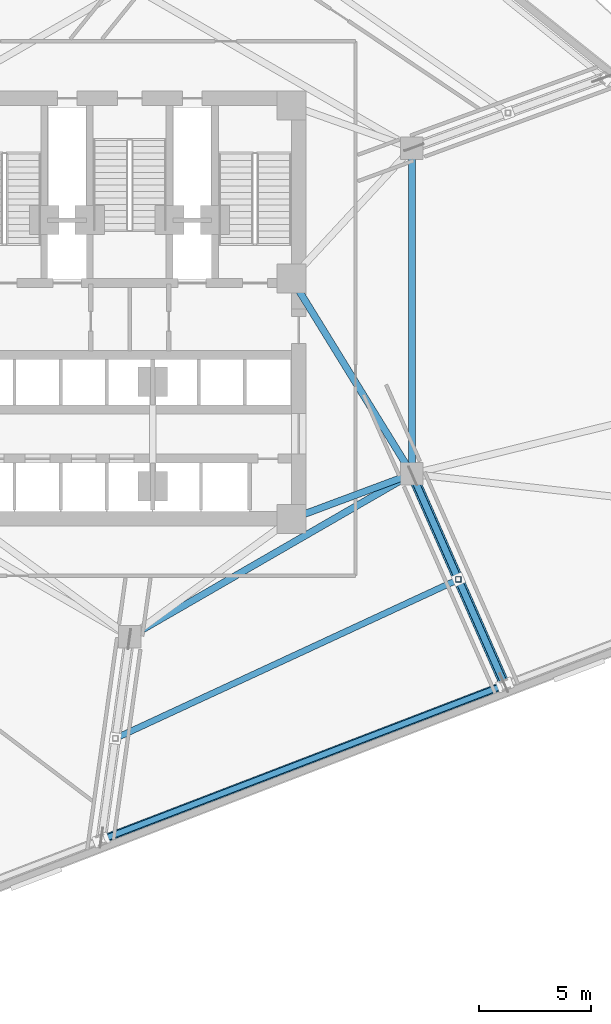
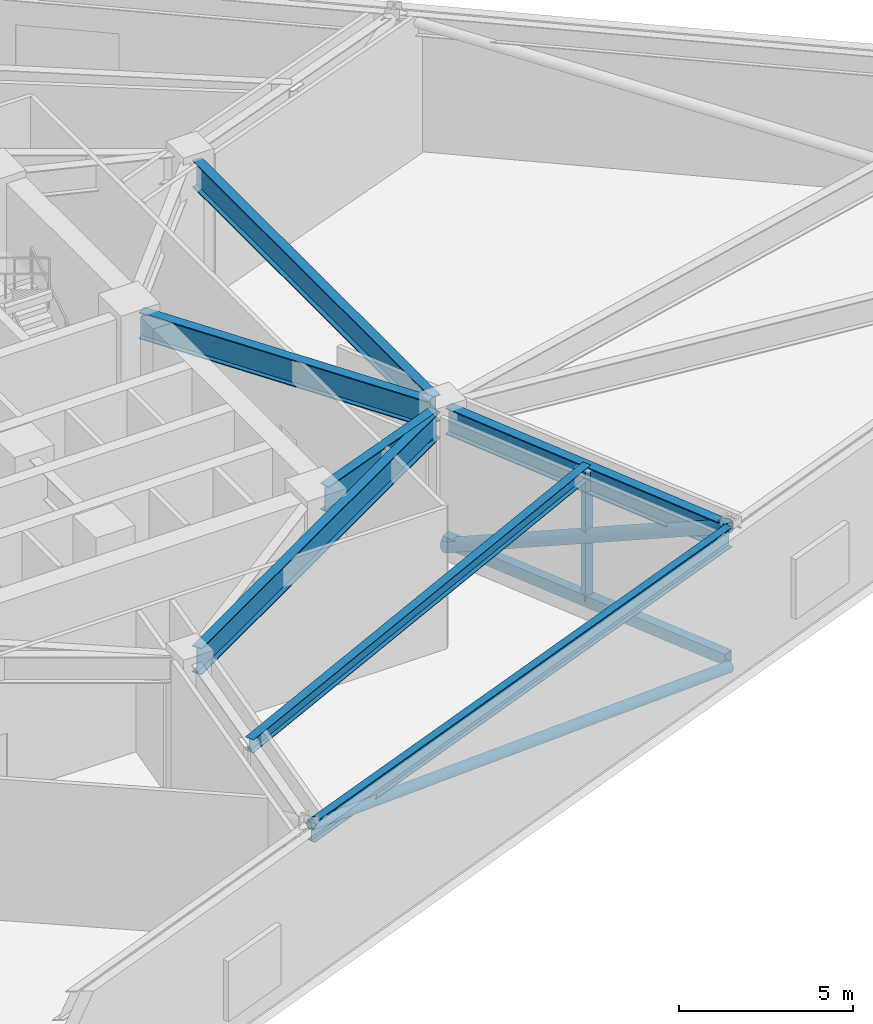
# One storey, part 4 of 18: 7 beams, 4 members.
"""IFC4 building model written with IfcOpenShell, lengths in metres."""

from ifc_helpers import new_model, si_unit, direction, frame, origin, origin_2d, place, context, subcontext, project, spatial, hollow_rectangle, hollow_circle, i_section, extrude, material, material_profile, profile_set, type_object, element, save


model = new_model("IFC4")

# Units and contexts
model_context = context("Model", 3, precision=1e-05, world=origin(), true_north=direction((0.0, 1.0)))
body_context = subcontext(model_context, "Body", "Model", "MODEL_VIEW")
ifc_project = project(units=[si_unit("LENGTHUNIT", "METRE"), si_unit("AREAUNIT", "SQUARE_METRE"), si_unit("VOLUMEUNIT", "CUBIC_METRE"), si_unit("PLANEANGLEUNIT", "RADIAN"), si_unit("MASSUNIT", "GRAM", prefix="KILO")], contexts=[model_context])

# Site, building, storey
site_placement = place(None, origin())
site = spatial("IfcSite", under=ifc_project, at=site_placement, CompositionType="ELEMENT")
building_placement = place(site_placement, origin())
building = spatial("IfcBuilding", under=site, at=building_placement, Name="Apsidion Concourse Tower", CompositionType="ELEMENT")
storey_placement = place(building_placement, frame((0.0, 0.0, 127.0)))
storey = spatial("IfcBuildingStorey", under=building, at=storey_placement, Name="L29", CompositionType="ELEMENT", Elevation=127.0)

# Beams
ifc_material_1 = material(Name="Structural steel ASTM A992 Grade 50", Category="steel")
ifc_material_profile_1 = material_profile(ifc_material_1, i_section(OverallWidth=0.280029296875, OverallDepth=0.462890625, WebThickness=0.0107421875, FlangeThickness=0.017333984375, at=origin_2d()), Name="W18X76")
ifc_profile_set_1 = profile_set([ifc_material_profile_1], Name="Structural steel ASTM A992 Grade 50")
beam_type_1 = type_object("IfcBeamType", Name="BM-FL-W18M", PredefinedType="BEAM", material=ifc_profile_set_1)
beam_1_placement = place(storey_placement, frame((-0.6376953125, -19.018310546875, 4.718505859375), z_axis=(0.907312361657, 0.420457225392, 0.0), x_axis=(-0.420457225392, 0.907312361657, 0.0)))
element("IfcBeam", 1, at=beam_1_placement, inside=storey, type_object=beam_type_1, Name="L29 Secondary Floor Beam SEC-F2", PredefinedType="BEAM", context=body_context, shape_type="SweptSolid", body=[
    extrude(i_section(OverallWidth=0.280029296875, OverallDepth=0.462890625, WebThickness=0.0107421875, FlangeThickness=0.017333984375, at=origin_2d()), origin(), (0.0, 0.0, 1.0), 16.82568359375),
])
ifc_material_profile_2 = material_profile(ifc_material_1, i_section(OverallWidth=0.31005859375, OverallDepth=0.931884765625, WebThickness=0.02099609375, FlangeThickness=0.034423828125, at=origin_2d()), Name="W36X210")
ifc_profile_set_2 = profile_set([ifc_material_profile_2], Name="Structural steel ASTM A992 Grade 50")
beam_type_2 = type_object("IfcBeamType", Name="BM-G-W36", PredefinedType="USERDEFINED", material=ifc_profile_set_2)
beam_2_placement = place(storey_placement, frame((12.185302734375, -7.389892578125, 4.48388671875), z_axis=(-0.936913021145, -0.349562570664, 0.0), x_axis=(0.349562570664, -0.936913021145, 0.0)))
element("IfcBeam", 2, at=beam_2_placement, inside=storey, type_object=beam_type_2, Name="L29 Core Coupling Girder IC2-SC2", ObjectType="GIRDER", PredefinedType="USERDEFINED", context=body_context, shape_type="SweptSolid", body=[
    extrude(i_section(OverallWidth=0.31005859375, OverallDepth=0.931884765625, WebThickness=0.02099609375, FlangeThickness=0.034423828125, at=origin_2d()), origin(), (0.0, 0.0, 1.0), 4.921142578125),
])
beam_3_placement = place(storey_placement, frame((12.35009765625, -6.909423828125, 4.48388671875), z_axis=(-0.524524009763, 0.851395656074, 0.0), x_axis=(-0.851395656074, -0.524524009763, 0.0)))
element("IfcBeam", 3, at=beam_3_placement, inside=storey, type_object=beam_type_2, Name="L29 Core Coupling Girder IC2-SC3", ObjectType="GIRDER", PredefinedType="USERDEFINED", context=body_context, shape_type="SweptSolid", body=[
    extrude(i_section(OverallWidth=0.31005859375, OverallDepth=0.931884765625, WebThickness=0.02099609375, FlangeThickness=0.034423828125, at=origin_2d()), origin(), (0.0, 0.0, 1.0), 9.41845703125),
])
beam_4_placement = place(storey_placement, frame((12.56005859375, 6.85009765625, 4.48388671875), z_axis=(0.0, -1.0, 0.0), x_axis=(1.0, 0.0, 0.0)))
element("IfcBeam", 4, at=beam_4_placement, inside=storey, type_object=beam_type_2, Name="L29 Core Coupling Girder IC3-IC2", ObjectType="GIRDER", PredefinedType="USERDEFINED", context=body_context, shape_type="SweptSolid", body=[
    extrude(i_section(OverallWidth=0.31005859375, OverallDepth=0.931884765625, WebThickness=0.02099609375, FlangeThickness=0.034423828125, at=origin_2d()), origin(), (0.0, 0.0, 1.0), 13.7001953125),
])
beam_5_placement = place(storey_placement, frame((12.213623046875, -7.449951171875, 4.48388671875), z_axis=(-0.866070471464, -0.499921932364, 0.0), x_axis=(0.499921932364, -0.866070471464, 0.0)))
element("IfcBeam", 5, at=beam_5_placement, inside=storey, type_object=beam_type_2, Name="L29 Core Coupling Girder IC2-IC6", ObjectType="GIRDER", PredefinedType="USERDEFINED", context=body_context, shape_type="SweptSolid", body=[
    extrude(i_section(OverallWidth=0.31005859375, OverallDepth=0.931884765625, WebThickness=0.02099609375, FlangeThickness=0.034423828125, at=origin_2d()), origin(), (0.0, 0.0, 1.0), 13.702392578125),
])
beam_6_placement = place(storey_placement, frame((12.648681640625, -7.451416015625, 4.48388671875), z_axis=(0.403246465544, -0.915091409656, 0.0), x_axis=(0.915091409656, 0.403246465544, 0.0)))
element("IfcBeam", 6, at=beam_6_placement, inside=storey, type_object=beam_type_2, Name="L29 Radial Floor Girder RAD-07", ObjectType="GIRDER", PredefinedType="USERDEFINED", context=body_context, shape_type="SweptSolid", body=[
    extrude(i_section(OverallWidth=0.31005859375, OverallDepth=0.931884765625, WebThickness=0.02099609375, FlangeThickness=0.034423828125, at=origin_2d()), origin(), (0.0, 0.0, 1.0), 9.93896484375),
])
ifc_material_profile_3 = material_profile(ifc_material_1, i_section(OverallWidth=0.256103515625, OverallDepth=0.693115234375, WebThickness=0.014404296875, FlangeThickness=0.023681640625, at=origin_2d()), Name="W27X114")
ifc_profile_set_3 = profile_set([ifc_material_profile_3], Name="Structural steel ASTM A992 Grade 50")
beam_type_3 = type_object("IfcBeamType", Name="BM-SP-W27", PredefinedType="SPANDREL", material=ifc_profile_set_3)
beam_7_placement = place(storey_placement, frame((-1.181884765625, -23.500732421875, 4.603515625), z_axis=(0.933579256938, 0.358370996335, 0.0), x_axis=(-0.358370996335, 0.933579256938, 0.0)))
element("IfcBeam", 7, at=beam_7_placement, inside=storey, type_object=beam_type_3, Name="L29 Perimeter Spandrel Girder SP-06", PredefinedType="SPANDREL", context=body_context, shape_type="SweptSolid", body=[
    extrude(i_section(OverallWidth=0.256103515625, OverallDepth=0.693115234375, WebThickness=0.014404296875, FlangeThickness=0.023681640625, at=origin_2d()), origin(), (0.0, 0.0, 1.0), 19.050537109375),
])

# Members
ifc_material_2 = material(Name="Structural steel ASTM A500 Grade C", Category="steel")
ifc_material_profile_4 = material_profile(ifc_material_2, hollow_circle(Radius=0.177978515625, WallThickness=0.02001953125, at=origin_2d()), Name="CHS356X20")
ifc_profile_set_4 = profile_set([ifc_material_profile_4], Name="Structural steel ASTM A500 Grade C")
member_type_1 = type_object("IfcMemberType", Name="MB-BR-CHS356", PredefinedType="BRACE", material=ifc_profile_set_4)
member_1_placement = place(storey_placement, frame((16.603271484375, -16.673583984375, 0.0), z_axis=(-0.904719048377, -0.347292492159, 0.246721236205), x_axis=(0.358370996335, -0.933579256938, 0.0)))
element("IfcMember", 8, at=member_1_placement, inside=storey, type_object=member_type_1, Name="L29 Perimeter Belt-Truss Diagonal BT-06", PredefinedType="BRACE", context=body_context, shape_type="SweptSolid", body=[
    extrude(hollow_circle(Radius=0.177978515625, WallThickness=0.02001953125, at=origin_2d()), origin(), (0.0, 0.0, 1.0), 19.658203125),
])
ifc_material_3 = material(Name="Structural steel ASTM A572 Grade 50", Category="steel")
ifc_material_profile_5 = material_profile(ifc_material_3, hollow_circle(Radius=0.228515625, WallThickness=0.02490234375, at=origin_2d()), Name="CHS457X25")
ifc_profile_set_5 = profile_set([ifc_material_profile_5], Name="Structural steel ASTM A572 Grade 50")
member_type_2 = type_object("IfcMemberType", Name="MB-BR-CHS457", PredefinedType="BRACE", material=ifc_profile_set_5)
member_2_placement = place(storey_placement, frame((12.600341796875, -7.341552734375, 0.0), z_axis=(0.363222459066, -0.824279305054, 0.434319090635), x_axis=(0.915094079698, 0.403240406336, 0.0)))
element("IfcMember", 9, at=member_2_placement, inside=storey, type_object=member_type_2, Name="L29 Radial Outrigger Truss Diagonal OT-02", PredefinedType="BRACE", context=body_context, shape_type="SweptSolid", body=[
    extrude(hollow_circle(Radius=0.228515625, WallThickness=0.02490234375, at=origin_2d()), origin(), (0.0, 0.0, 1.0), 11.167236328125),
])
ifc_material_profile_6 = material_profile(ifc_material_2, hollow_rectangle(XDim=0.300048828125, YDim=0.39990234375, WallThickness=0.02001953125, at=origin_2d()), Name="HSS400X300X20")
ifc_profile_set_6 = profile_set([ifc_material_profile_6], Name="Structural steel ASTM A500 Grade C")
member_type_3 = type_object("IfcMemberType", Name="MB-CH-HSS400", PredefinedType="CHORD", material=ifc_profile_set_6)
member_3_placement = place(storey_placement, frame((12.600341796875, -7.341552734375, 0.219970703125), z_axis=(0.403240406336, -0.915094079698, 0.0), x_axis=(0.915094079698, 0.403240406336, 0.0)))
element("IfcMember", 10, at=member_3_placement, inside=storey, type_object=member_type_3, Name="L29 Radial Outrigger Bottom Chord OTC-02", PredefinedType="CHORD", context=body_context, shape_type="SweptSolid", body=[
    extrude(hollow_rectangle(XDim=0.300048828125, YDim=0.39990234375, WallThickness=0.02001953125, at=origin_2d()), origin(), (0.0, 0.0, 1.0), 10.058837890625),
])
ifc_material_profile_7 = material_profile(ifc_material_2, hollow_rectangle(XDim=0.25, YDim=0.25, WallThickness=0.01611328125, at=origin_2d()), Name="HSS250X250X16")
ifc_profile_set_7 = profile_set([ifc_material_profile_7], Name="Structural steel ASTM A500 Grade C")
member_type_4 = type_object("IfcMemberType", Name="MB-ST-HSS250", PredefinedType="STRUT", material=ifc_profile_set_7)
member_4_placement = place(storey_placement, frame((14.62841796875, -11.94384765625, 0.219970703125), z_axis=(0.0, 0.0, 1.0), x_axis=(1.0, 0.0, 0.0)))
element("IfcMember", 11, at=member_4_placement, inside=storey, type_object=member_type_4, Name="L29 Outrigger Truss Compression Strut OTV-02", PredefinedType="STRUT", context=body_context, shape_type="SweptSolid", body=[
    extrude(hollow_rectangle(XDim=0.25, YDim=0.25, WallThickness=0.01611328125, at=origin_2d()), origin(), (0.0, 0.0, 1.0), 4.630126953125),
])

save(model, "model.ifc")
